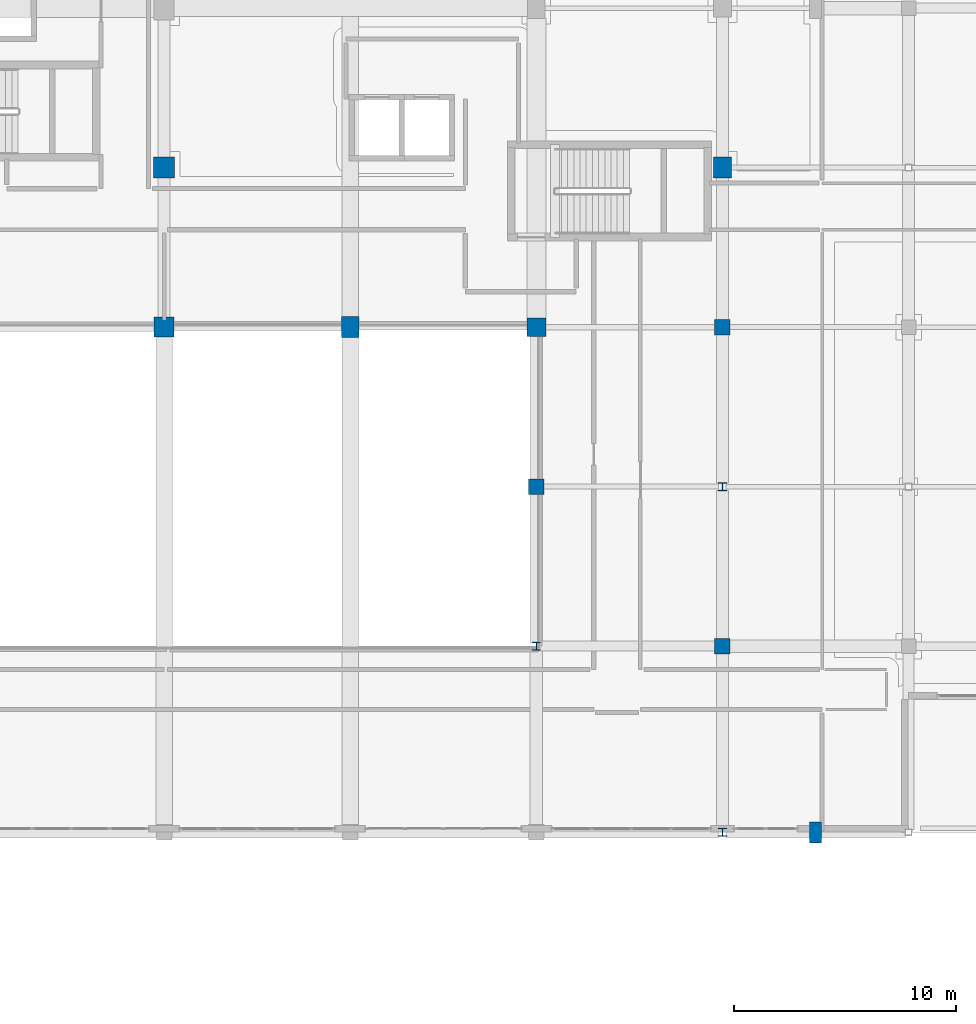
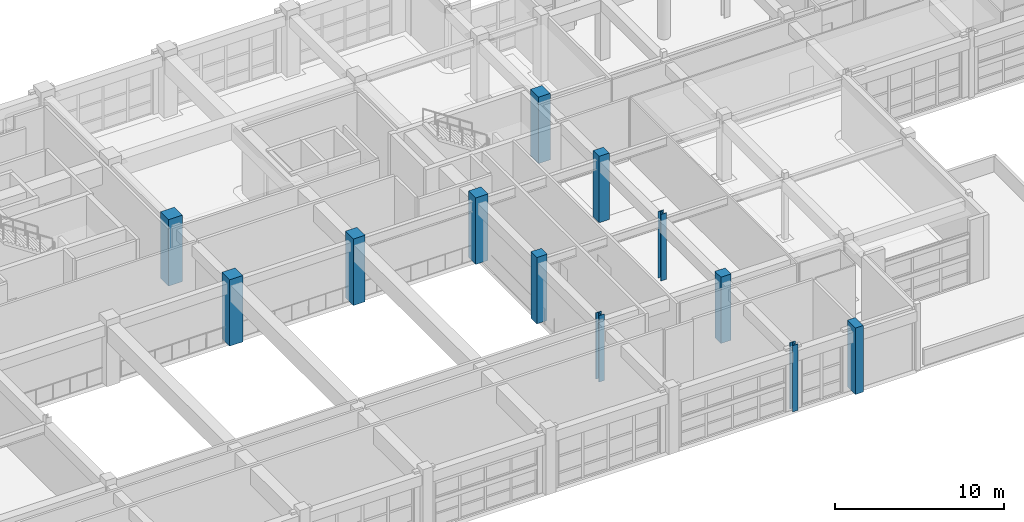
# One storey, part 10 of 123: 12 columns.
"""IFC4 building model written with IfcOpenShell, lengths in metres."""

from ifc_helpers import new_model, si_unit, direction, frame, origin, origin_2d, place, context, subcontext, project, spatial, rectangle, i_section, extrude, material, material_profile, profile_set, type_object, element, save


model = new_model("IFC4")

# Units and contexts
model_context = context("Model", 3, precision=1e-05, world=origin(), true_north=direction((0.0, 1.0)))
body_context = subcontext(model_context, "Body", "Model", "MODEL_VIEW")
ifc_project = project(units=[si_unit("LENGTHUNIT", "METRE"), si_unit("AREAUNIT", "SQUARE_METRE"), si_unit("VOLUMEUNIT", "CUBIC_METRE"), si_unit("PLANEANGLEUNIT", "RADIAN"), si_unit("MASSUNIT", "GRAM", prefix="KILO")], contexts=[model_context])

# Site, building, storey
site_placement = place(None, origin())
site = spatial("IfcSite", under=ifc_project, at=site_placement, CompositionType="ELEMENT")
building_placement = place(site_placement, origin())
building = spatial("IfcBuilding", under=site, at=building_placement, Name="Quendrovan Civic Courthouse", CompositionType="ELEMENT")
storey_placement = place(building_placement, frame((0.0, 0.0, 5.39990234375)))
storey = spatial("IfcBuildingStorey", under=building, at=storey_placement, Name="L02", CompositionType="ELEMENT", Elevation=5.39990234375)

# Columns
ifc_material_1 = material(Name="Concrete C45/55", Category="concrete")
ifc_material_profile_1 = material_profile(ifc_material_1, rectangle(XDim=0.550048828125, YDim=0.949951171875, at=origin_2d()), Name="RC-PIER-550x950")
ifc_profile_set_1 = profile_set([ifc_material_profile_1], Name="Concrete C45/55")
column_type_1 = type_object("IfcColumnType", Name="COL-PIER950", PredefinedType="PILASTER", material=ifc_profile_set_1)
column_1_placement = place(storey_placement, frame((96.60009765625, 64.800048828125, 0.0), z_axis=(0.0, 0.0, 1.0), x_axis=(1.0, 0.0, 0.0)))
element("IfcColumn", 1, at=column_1_placement, inside=storey, type_object=column_type_1, Name="L02 Column PIL-C3", PredefinedType="PILASTER", context=body_context, shape_type="SweptSolid", body=[
    extrude(rectangle(XDim=0.550048828125, YDim=0.949951171875, at=origin_2d()), origin(), (0.0, 0.0, 1.0), 4.800048828125),
])
ifc_material_profile_2 = material_profile(ifc_material_1, rectangle(XDim=0.800048828125, YDim=0.949951171875, at=origin_2d()), Name="RC-COL-800x950")
ifc_profile_set_2 = profile_set([ifc_material_profile_2], Name="Concrete C45/55")
column_type_2 = type_object("IfcColumnType", Name="COL-RC-800x950", PredefinedType="COLUMN", material=ifc_profile_set_2)
for number, where, z_axis, x_axis, name in (
    (2, (75.60009765625, 87.60009765625, 0.0), (0.0, 0.0, 1.0), (1.0, 0.0, 0.0), "L02 Column 10-M"),
    (3, (92.39990234375, 94.800048828125, 0.0), (0.0, 0.0, 1.0), (1.0, 0.0, 0.0), "L02 Column 12-N"),
):
    element("IfcColumn", number, at=place(storey_placement, frame(where, z_axis=z_axis, x_axis=x_axis)), inside=storey, type_object=column_type_2, Name=name, PredefinedType="COLUMN", context=body_context, shape_type="SweptSolid", body=[
        extrude(rectangle(XDim=0.800048828125, YDim=0.949951171875, at=origin_2d()), origin(), (0.0, 0.0, 1.0), 4.800048828125),
    ])
ifc_material_profile_3 = material_profile(ifc_material_1, rectangle(XDim=0.699951171875, YDim=0.699951171875, at=origin_2d()), Name="RC-COL-700x700")
ifc_profile_set_3 = profile_set([ifc_material_profile_3], Name="Concrete C45/55")
column_type_3 = type_object("IfcColumnType", Name="COL-RC700", PredefinedType="COLUMN", material=ifc_profile_set_3)
for number, where, z_axis, x_axis, name in (
    (4, (84.0, 80.39990234375, 0.0), (0.0, 0.0, 1.0), (1.0, 0.0, 0.0), "L02 Column 11-L"),
    (5, (92.39990234375, 73.199951171875, 0.0), (0.0, 0.0, 1.0), (1.0, 0.0, 0.0), "L02 Column 12-K"),
    (6, (92.39990234375, 87.60009765625, 0.0), (0.0, 0.0, 1.0), (1.0, 0.0, 0.0), "L02 Column 12-M"),
):
    element("IfcColumn", number, at=place(storey_placement, frame(where, z_axis=z_axis, x_axis=x_axis)), inside=storey, type_object=column_type_3, Name=name, PredefinedType="COLUMN", context=body_context, shape_type="SweptSolid", body=[
        extrude(rectangle(XDim=0.699951171875, YDim=0.699951171875, at=origin_2d()), origin(), (0.0, 0.0, 1.0), 4.800048828125),
    ])
ifc_material_profile_4 = material_profile(ifc_material_1, rectangle(XDim=0.85009765625, YDim=0.85009765625, at=origin_2d()), Name="RC-COL-850x850")
ifc_profile_set_4 = profile_set([ifc_material_profile_4], Name="Concrete C45/55")
column_type_4 = type_object("IfcColumnType", Name="COL-RC850", PredefinedType="COLUMN", material=ifc_profile_set_4)
column_2_placement = place(storey_placement, frame((84.0, 87.60009765625, 0.0), z_axis=(0.0, 0.0, 1.0), x_axis=(1.0, 0.0, 0.0)))
element("IfcColumn", 7, at=column_2_placement, inside=storey, type_object=column_type_4, Name="L02 Column 11-M", PredefinedType="COLUMN", context=body_context, shape_type="SweptSolid", body=[
    extrude(rectangle(XDim=0.85009765625, YDim=0.85009765625, at=origin_2d()), origin(), (0.0, 0.0, 1.0), 4.800048828125),
])
ifc_material_profile_5 = material_profile(ifc_material_1, rectangle(XDim=0.89990234375, YDim=0.89990234375, at=origin_2d()), Name="RC-COL-900x900")
ifc_profile_set_5 = profile_set([ifc_material_profile_5], Name="Concrete C45/55")
column_type_5 = type_object("IfcColumnType", Name="COL-RC900", PredefinedType="COLUMN", material=ifc_profile_set_5)
column_3_placement = place(storey_placement, frame((67.199951171875, 87.60009765625, 0.0), z_axis=(0.0, 0.0, 1.0), x_axis=(1.0, 0.0, 0.0)))
element("IfcColumn", 8, at=column_3_placement, inside=storey, type_object=column_type_5, Name="L02 Column 9-M", PredefinedType="COLUMN", context=body_context, shape_type="SweptSolid", body=[
    extrude(rectangle(XDim=0.89990234375, YDim=0.89990234375, at=origin_2d()), origin(), (0.0, 0.0, 1.0), 4.800048828125),
])
ifc_material_profile_6 = material_profile(ifc_material_1, rectangle(XDim=0.949951171875, YDim=0.949951171875, at=origin_2d()), Name="RC-COL-950x950")
ifc_profile_set_6 = profile_set([ifc_material_profile_6], Name="Concrete C45/55")
column_type_6 = type_object("IfcColumnType", Name="COL-RC950", PredefinedType="COLUMN", material=ifc_profile_set_6)
column_4_placement = place(storey_placement, frame((67.199951171875, 94.800048828125, 0.0), z_axis=(0.0, 0.0, 1.0), x_axis=(1.0, 0.0, 0.0)))
element("IfcColumn", 9, at=column_4_placement, inside=storey, type_object=column_type_6, Name="L02 Column 9-N", PredefinedType="COLUMN", context=body_context, shape_type="SweptSolid", body=[
    extrude(rectangle(XDim=0.949951171875, YDim=0.949951171875, at=origin_2d()), origin(), (0.0, 0.0, 1.0), 4.800048828125),
])
ifc_material_2 = material(Name="Steel ASTM A992 Grade 50", Category="steel")
ifc_material_profile_7 = material_profile(ifc_material_2, i_section(OverallWidth=0.3740234375, OverallDepth=0.3720703125, WebThickness=0.016357421875, FlangeThickness=0.026123046875, at=origin_2d()), Name="W14X132")
ifc_profile_set_7 = profile_set([ifc_material_profile_7], Name="Steel ASTM A992 Grade 50")
column_type_7 = type_object("IfcColumnType", Name="COL-STL-W14X132", PredefinedType="COLUMN", material=ifc_profile_set_7)
for number, where, z_axis, x_axis, name in (
    (10, (84.0, 73.199951171875, 0.0), (0.0, 0.0, 1.0), (1.0, 0.0, 0.0), "L02 Column 11-K"),
    (11, (92.39990234375, 64.800048828125, 0.0), (0.0, 0.0, 1.0), (1.0, 0.0, 0.0), "L02 Column 12-J"),
    (12, (92.39990234375, 80.39990234375, 0.0), (0.0, 0.0, 1.0), (1.0, 0.0, 0.0), "L02 Column 12-L"),
):
    element("IfcColumn", number, at=place(storey_placement, frame(where, z_axis=z_axis, x_axis=x_axis)), inside=storey, type_object=column_type_7, Name=name, PredefinedType="COLUMN", context=body_context, shape_type="SweptSolid", body=[
        extrude(i_section(OverallWidth=0.3740234375, OverallDepth=0.3720703125, WebThickness=0.016357421875, FlangeThickness=0.026123046875, at=origin_2d()), origin(), (0.0, 0.0, 1.0), 4.800048828125),
    ])

save(model, "model.ifc")
